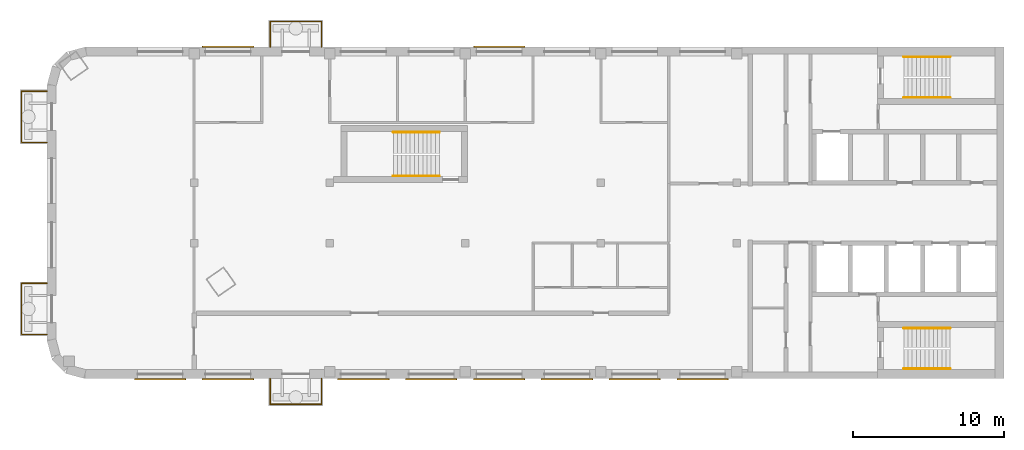
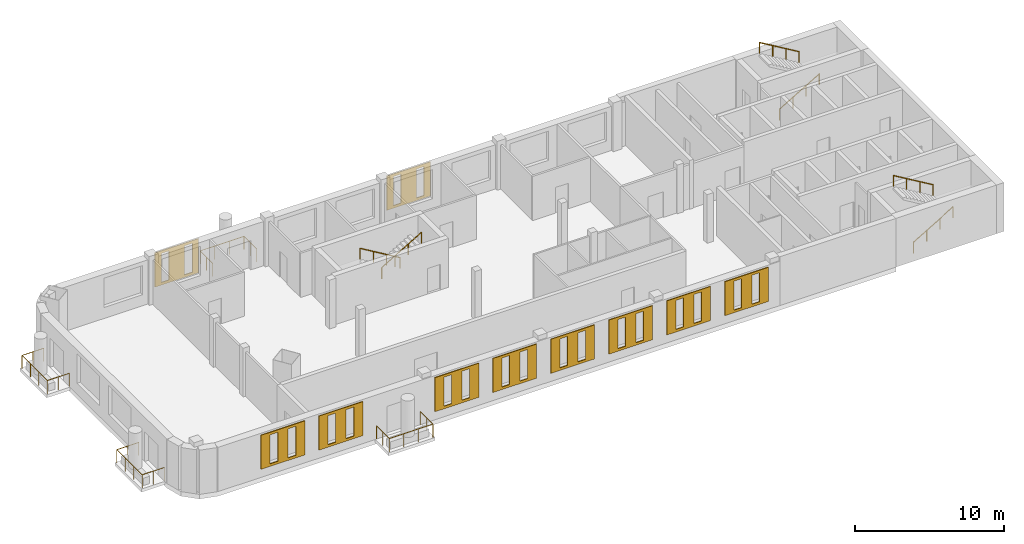
# One storey, part 5 of 7: 10 coverings, 10 railings.
"""IFC4 building model written with IfcOpenShell, lengths in metres."""

from ifc_helpers import new_model, si_unit, direction, frame, origin, origin_2d, place, context, subcontext, project, spatial, polyline, circle, outline, extrude, material, material_profile, profile_set, type_object, element, save


model = new_model("IFC4")

# Units and contexts
model_context = context("Model", 3, precision=1e-05, world=origin(), true_north=direction((0.0, 1.0)))
body_context = subcontext(model_context, "Body", "Model", "MODEL_VIEW")
ifc_project = project(units=[si_unit("LENGTHUNIT", "METRE"), si_unit("AREAUNIT", "SQUARE_METRE"), si_unit("VOLUMEUNIT", "CUBIC_METRE"), si_unit("PLANEANGLEUNIT", "RADIAN"), si_unit("MASSUNIT", "GRAM", prefix="KILO")], contexts=[model_context])

# Site, building, storey
site_placement = place(None, origin())
site = spatial("IfcSite", under=ifc_project, at=site_placement, CompositionType="ELEMENT")
building_placement = place(site_placement, origin())
building = spatial("IfcBuilding", under=site, at=building_placement, Name="Skarvind Civic Tower", CompositionType="ELEMENT")
storey_placement = place(building_placement, frame((0.0, 0.0, 241.5)))
storey = spatial("IfcBuildingStorey", under=building, at=storey_placement, Name="L57", CompositionType="ELEMENT", Elevation=241.5)

# Railings
ifc_material_1 = material(Name="Stainless steel balustrade", Category="steel")
railing_type_1 = type_object("IfcRailingType", Name="GR1 GUARD 1100", PredefinedType="GUARDRAIL", material=ifc_material_1)
railing_1_placement = place(storey_placement, frame((59.300048828125, 139.0, 0.0)))
element("IfcRailing", 1, at=railing_1_placement, inside=storey, type_object=railing_type_1, Name="TREE BALCONY GUARD", PredefinedType="GUARDRAIL", context=body_context, shape_type="SweptSolid", body=[
    extrude(circle(Radius=0.02392578125, at=origin_2d()), frame((0.0, 0.0, 1.076171875), z_axis=(0.0, 1.0, 0.0), x_axis=(-1.0, 0.0, 0.0)), (0.0, 0.0, 1.0), 1.699951171875),
    extrude(circle(Radius=0.02392578125, at=origin_2d()), frame((0.0, 1.699951171875, 1.076171875), z_axis=(1.0, 0.0, 0.0), x_axis=(0.0, 1.0, 0.0)), (0.0, 0.0, 1.0), 3.39990234375),
    extrude(circle(Radius=0.02392578125, at=origin_2d()), frame((3.39990234375, 1.699951171875, 1.076171875), z_axis=(0.0, -1.0, 0.0), x_axis=(1.0, 0.0, 0.0)), (0.0, 0.0, 1.0), 1.699951171875),
    extrude(circle(Radius=0.02099609375, at=origin_2d()), origin(), (0.0, 0.0, 1.0), 1.052001953125),
    extrude(circle(Radius=0.02099609375, at=origin_2d()), frame((0.0, 0.85009765625, 0.0)), (0.0, 0.0, 1.0), 1.052001953125),
    extrude(circle(Radius=0.02099609375, at=origin_2d()), frame((0.0, 1.699951171875, 0.0)), (0.0, 0.0, 1.0), 1.052001953125),
    extrude(circle(Radius=0.02099609375, at=origin_2d()), frame((1.13330078125, 1.699951171875, 0.0)), (0.0, 0.0, 1.0), 1.052001953125),
    extrude(circle(Radius=0.02099609375, at=origin_2d()), frame((2.2666015625, 1.699951171875, 0.0)), (0.0, 0.0, 1.0), 1.052001953125),
    extrude(circle(Radius=0.02099609375, at=origin_2d()), frame((3.39990234375, 1.699951171875, 0.0)), (0.0, 0.0, 1.0), 1.052001953125),
    extrude(circle(Radius=0.02099609375, at=origin_2d()), frame((3.39990234375, 0.85009765625, 0.0)), (0.0, 0.0, 1.0), 1.052001953125),
    extrude(circle(Radius=0.02099609375, at=origin_2d()), frame((3.39990234375, 0.0, 0.0)), (0.0, 0.0, 1.0), 1.052001953125),
])
for number, where, name in (
    (2, (44.5, 119.925048828125, 0.0), "TREE BALCONY GUARD"),
    (3, (44.5, 132.675048828125, 0.0), "TREE BALCONY GUARD"),
):
    element("IfcRailing", number, at=place(storey_placement, frame(where)), inside=storey, type_object=railing_type_1, Name=name, PredefinedType="GUARDRAIL", context=body_context, shape_type="SweptSolid", body=[
        extrude(circle(Radius=0.02392578125, at=origin_2d()), frame((0.0, 0.0, 1.076171875), z_axis=(-1.0, 0.0, 0.0), x_axis=(0.0, -1.0, 0.0)), (0.0, 0.0, 1.0), 1.699951171875),
        extrude(circle(Radius=0.02392578125, at=origin_2d()), frame((-1.699951171875, 0.0, 1.076171875), z_axis=(0.0, 1.0, 0.0), x_axis=(-1.0, 0.0, 0.0)), (0.0, 0.0, 1.0), 3.39990234375),
        extrude(circle(Radius=0.02392578125, at=origin_2d()), frame((-1.699951171875, 3.39990234375, 1.076171875), z_axis=(1.0, 0.0, 0.0), x_axis=(0.0, 1.0, 0.0)), (0.0, 0.0, 1.0), 1.699951171875),
        extrude(circle(Radius=0.02099609375, at=origin_2d()), origin(), (0.0, 0.0, 1.0), 1.052001953125),
        extrude(circle(Radius=0.02099609375, at=origin_2d()), frame((-0.85009765625, 0.0, 0.0)), (0.0, 0.0, 1.0), 1.052001953125),
        extrude(circle(Radius=0.02099609375, at=origin_2d()), frame((-1.699951171875, 0.0, 0.0)), (0.0, 0.0, 1.0), 1.052001953125),
        extrude(circle(Radius=0.02099609375, at=origin_2d()), frame((-1.699951171875, 1.13330078125, 0.0)), (0.0, 0.0, 1.0), 1.052001953125),
        extrude(circle(Radius=0.02099609375, at=origin_2d()), frame((-1.699951171875, 2.2666015625, 0.0)), (0.0, 0.0, 1.0), 1.052001953125),
        extrude(circle(Radius=0.02099609375, at=origin_2d()), frame((-1.699951171875, 3.39990234375, 0.0)), (0.0, 0.0, 1.0), 1.052001953125),
        extrude(circle(Radius=0.02099609375, at=origin_2d()), frame((-0.85009765625, 3.39990234375, 0.0)), (0.0, 0.0, 1.0), 1.052001953125),
        extrude(circle(Radius=0.02099609375, at=origin_2d()), frame((0.0, 3.39990234375, 0.0)), (0.0, 0.0, 1.0), 1.052001953125),
    ])
railing_2_placement = place(storey_placement, frame((62.699951171875, 117.0, 0.0)))
element("IfcRailing", 4, at=railing_2_placement, inside=storey, type_object=railing_type_1, Name="TREE BALCONY GUARD", PredefinedType="GUARDRAIL", context=body_context, shape_type="SweptSolid", body=[
    extrude(circle(Radius=0.02392578125, at=origin_2d()), frame((0.0, 0.0, 1.076171875), z_axis=(0.0, -1.0, 0.0), x_axis=(1.0, 0.0, 0.0)), (0.0, 0.0, 1.0), 1.699951171875),
    extrude(circle(Radius=0.02392578125, at=origin_2d()), frame((0.0, -1.699951171875, 1.076171875), z_axis=(-1.0, 0.0, 0.0), x_axis=(0.0, -1.0, 0.0)), (0.0, 0.0, 1.0), 3.39990234375),
    extrude(circle(Radius=0.02392578125, at=origin_2d()), frame((-3.39990234375, -1.699951171875, 1.076171875), z_axis=(0.0, 1.0, 0.0), x_axis=(-1.0, 0.0, 0.0)), (0.0, 0.0, 1.0), 1.699951171875),
    extrude(circle(Radius=0.02099609375, at=origin_2d()), origin(), (0.0, 0.0, 1.0), 1.052001953125),
    extrude(circle(Radius=0.02099609375, at=origin_2d()), frame((0.0, -0.85009765625, 0.0)), (0.0, 0.0, 1.0), 1.052001953125),
    extrude(circle(Radius=0.02099609375, at=origin_2d()), frame((0.0, -1.699951171875, 0.0)), (0.0, 0.0, 1.0), 1.052001953125),
    extrude(circle(Radius=0.02099609375, at=origin_2d()), frame((-1.13330078125, -1.699951171875, 0.0)), (0.0, 0.0, 1.0), 1.052001953125),
    extrude(circle(Radius=0.02099609375, at=origin_2d()), frame((-2.2666015625, -1.699951171875, 0.0)), (0.0, 0.0, 1.0), 1.052001953125),
    extrude(circle(Radius=0.02099609375, at=origin_2d()), frame((-3.39990234375, -1.699951171875, 0.0)), (0.0, 0.0, 1.0), 1.052001953125),
    extrude(circle(Radius=0.02099609375, at=origin_2d()), frame((-3.39990234375, -0.85009765625, 0.0)), (0.0, 0.0, 1.0), 1.052001953125),
    extrude(circle(Radius=0.02099609375, at=origin_2d()), frame((-3.39990234375, 0.0, 0.0)), (0.0, 0.0, 1.0), 1.052001953125),
])
ifc_material_2 = material(Name="Painted steel handrail", Category="steel")
railing_type_2 = type_object("IfcRailingType", Name="Stair handrail 900", PredefinedType="HANDRAIL", material=ifc_material_2)
railing_3_placement = place(storey_placement, frame((101.35009765625, 135.64990234375, 0.166748046875)))
element("IfcRailing", 5, at=railing_3_placement, inside=storey, type_object=railing_type_2, Name="Stair handrail", PredefinedType="HANDRAIL", context=body_context, shape_type="SweptSolid", body=[
    extrude(circle(Radius=0.02392578125, at=origin_2d()), frame((0.0, 0.0, 0.8759765625), z_axis=(0.859290745958, 0.0, 0.51148745235), x_axis=(0.0, 1.0, 0.0)), (0.0, 0.0, 1.0), 3.584228515625),
    extrude(circle(Radius=0.02099609375, at=origin_2d()), origin(), (0.0, 0.0, 1.0), 0.851806640625),
    extrude(circle(Radius=0.02099609375, at=origin_2d()), frame((1.026611328125, 0.0, 0.611083984375)), (0.0, 0.0, 1.0), 0.851806640625),
    extrude(circle(Radius=0.02099609375, at=origin_2d()), frame((2.05322265625, 0.0, 1.22216796875)), (0.0, 0.0, 1.0), 0.851806640625),
    extrude(circle(Radius=0.02099609375, at=origin_2d()), frame((3.079833984375, 0.0, 1.833251953125)), (0.0, 0.0, 1.0), 0.851806640625),
])
railing_4_placement = place(storey_placement, frame((104.429931640625, 138.35009765625, 2.166748046875)))
element("IfcRailing", 6, at=railing_4_placement, inside=storey, type_object=railing_type_2, Name="Stair handrail", PredefinedType="HANDRAIL", context=body_context, shape_type="SweptSolid", body=[
    extrude(circle(Radius=0.02392578125, at=origin_2d()), frame((0.0, 0.0, 0.8759765625), z_axis=(-0.859290745958, 0.0, 0.51148745235), x_axis=(0.0, -1.0, 0.0)), (0.0, 0.0, 1.0), 3.584228515625),
    extrude(circle(Radius=0.02099609375, at=origin_2d()), origin(), (0.0, 0.0, 1.0), 0.851806640625),
    extrude(circle(Radius=0.02099609375, at=origin_2d()), frame((-1.026611328125, 0.0, 0.611083984375)), (0.0, 0.0, 1.0), 0.851806640625),
    extrude(circle(Radius=0.02099609375, at=origin_2d()), frame((-2.05322265625, 0.0, 1.22216796875)), (0.0, 0.0, 1.0), 0.851806640625),
    extrude(circle(Radius=0.02099609375, at=origin_2d()), frame((-3.079833984375, 0.0, 1.833251953125)), (0.0, 0.0, 1.0), 0.851806640625),
])
railing_5_placement = place(storey_placement, frame((101.35009765625, 117.64990234375, 0.166748046875)))
element("IfcRailing", 7, at=railing_5_placement, inside=storey, type_object=railing_type_2, Name="Stair handrail", PredefinedType="HANDRAIL", context=body_context, shape_type="SweptSolid", body=[
    extrude(circle(Radius=0.02392578125, at=origin_2d()), frame((0.0, 0.0, 0.8759765625), z_axis=(0.859290745958, 0.0, 0.51148745235), x_axis=(0.0, 1.0, 0.0)), (0.0, 0.0, 1.0), 3.584228515625),
    extrude(circle(Radius=0.02099609375, at=origin_2d()), origin(), (0.0, 0.0, 1.0), 0.851806640625),
    extrude(circle(Radius=0.02099609375, at=origin_2d()), frame((1.026611328125, 0.0, 0.611083984375)), (0.0, 0.0, 1.0), 0.851806640625),
    extrude(circle(Radius=0.02099609375, at=origin_2d()), frame((2.05322265625, 0.0, 1.22216796875)), (0.0, 0.0, 1.0), 0.851806640625),
    extrude(circle(Radius=0.02099609375, at=origin_2d()), frame((3.079833984375, 0.0, 1.833251953125)), (0.0, 0.0, 1.0), 0.851806640625),
])
railing_6_placement = place(storey_placement, frame((104.429931640625, 120.35009765625, 2.166748046875)))
element("IfcRailing", 8, at=railing_6_placement, inside=storey, type_object=railing_type_2, Name="Stair handrail", PredefinedType="HANDRAIL", context=body_context, shape_type="SweptSolid", body=[
    extrude(circle(Radius=0.02392578125, at=origin_2d()), frame((0.0, 0.0, 0.8759765625), z_axis=(-0.859290745958, 0.0, 0.51148745235), x_axis=(0.0, -1.0, 0.0)), (0.0, 0.0, 1.0), 3.584228515625),
    extrude(circle(Radius=0.02099609375, at=origin_2d()), origin(), (0.0, 0.0, 1.0), 0.851806640625),
    extrude(circle(Radius=0.02099609375, at=origin_2d()), frame((-1.026611328125, 0.0, 0.611083984375)), (0.0, 0.0, 1.0), 0.851806640625),
    extrude(circle(Radius=0.02099609375, at=origin_2d()), frame((-2.05322265625, 0.0, 1.22216796875)), (0.0, 0.0, 1.0), 0.851806640625),
    extrude(circle(Radius=0.02099609375, at=origin_2d()), frame((-3.079833984375, 0.0, 1.833251953125)), (0.0, 0.0, 1.0), 0.851806640625),
])
railing_7_placement = place(storey_placement, frame((70.550048828125, 133.35009765625, 0.166748046875)))
element("IfcRailing", 9, at=railing_7_placement, inside=storey, type_object=railing_type_2, Name="Stair handrail", PredefinedType="HANDRAIL", context=body_context, shape_type="SweptSolid", body=[
    extrude(circle(Radius=0.02392578125, at=origin_2d()), frame((0.0, 0.0, 0.8759765625), z_axis=(-0.859308565015, 0.0, 0.511457515432), x_axis=(0.0, -1.0, 0.0)), (0.0, 0.0, 1.0), 3.58447265625),
    extrude(circle(Radius=0.02099609375, at=origin_2d()), origin(), (0.0, 0.0, 1.0), 0.851806640625),
    extrude(circle(Radius=0.02099609375, at=origin_2d()), frame((-1.026611328125, 0.0, 0.611083984375)), (0.0, 0.0, 1.0), 0.851806640625),
    extrude(circle(Radius=0.02099609375, at=origin_2d()), frame((-2.053466796875, 0.0, 1.22216796875)), (0.0, 0.0, 1.0), 0.851806640625),
    extrude(circle(Radius=0.02099609375, at=origin_2d()), frame((-3.080078125, 0.0, 1.833251953125)), (0.0, 0.0, 1.0), 0.851806640625),
])
railing_8_placement = place(storey_placement, frame((67.469970703125, 130.449951171875, 2.166748046875)))
element("IfcRailing", 10, at=railing_8_placement, inside=storey, type_object=railing_type_2, Name="Stair handrail", PredefinedType="HANDRAIL", context=body_context, shape_type="SweptSolid", body=[
    extrude(circle(Radius=0.02392578125, at=origin_2d()), frame((0.0, 0.0, 0.8759765625), z_axis=(0.859308565015, 0.0, 0.511457515432), x_axis=(0.0, 1.0, 0.0)), (0.0, 0.0, 1.0), 3.58447265625),
    extrude(circle(Radius=0.02099609375, at=origin_2d()), origin(), (0.0, 0.0, 1.0), 0.851806640625),
    extrude(circle(Radius=0.02099609375, at=origin_2d()), frame((1.026611328125, 0.0, 0.611083984375)), (0.0, 0.0, 1.0), 0.851806640625),
    extrude(circle(Radius=0.02099609375, at=origin_2d()), frame((2.053466796875, 0.0, 1.22216796875)), (0.0, 0.0, 1.0), 0.851806640625),
    extrude(circle(Radius=0.02099609375, at=origin_2d()), frame((3.080078125, 0.0, 1.833251953125)), (0.0, 0.0, 1.0), 0.851806640625),
])

# Coverings
ifc_material_3 = material(Name="Terracotta", Category="masonry")
ifc_material_profile_1 = material_profile(ifc_material_3, outline(polyline([(-1.699951171875, -1.39990234375), (1.699951171875, -1.39990234375), (1.699951171875, 1.39990234375), (-1.699951171875, 1.39990234375), (-1.699951171875, -1.39990234375)]), holes=[polyline([(-1.0, -1.18994140625), (-0.39990234375, -1.18994140625), (-0.39990234375, 1.18994140625), (-1.0, 1.18994140625), (-1.0, -1.18994140625)]), polyline([(0.39990234375, -1.18994140625), (1.0, -1.18994140625), (1.0, 1.18994140625), (0.39990234375, 1.18994140625), (0.39990234375, -1.18994140625)])]), Name="TERRACOTTA SCREEN 3400 x 2800, SLIT PITCH 1400")
ifc_profile_set_1 = profile_set([ifc_material_profile_1], Name="Terracotta")
covering_type_1 = type_object("IfcCoveringType", Name="TERRACOTTA SCREEN 3400 x 2800, SLIT PITCH 1400", PredefinedType="CLADDING", material=ifc_profile_set_1)
for number, where, z_axis, x_axis, name in (
    (11, (88.0, 117.0, 2.10009765625), (0.0, -1.0, 0.0), (1.0, 0.0, 0.0), "TERRACOTTA SCREEN"),
    (12, (83.5, 117.0, 2.10009765625), (0.0, -1.0, 0.0), (1.0, 0.0, 0.0), "TERRACOTTA SCREEN"),
    (13, (79.0, 117.0, 2.10009765625), (0.0, -1.0, 0.0), (1.0, 0.0, 0.0), "TERRACOTTA SCREEN"),
    (14, (74.5, 117.0, 2.10009765625), (0.0, -1.0, 0.0), (1.0, 0.0, 0.0), "TERRACOTTA SCREEN"),
    (15, (70.0, 117.0, 2.10009765625), (0.0, -1.0, 0.0), (1.0, 0.0, 0.0), "TERRACOTTA SCREEN"),
    (16, (65.5, 117.0, 2.10009765625), (0.0, -1.0, 0.0), (1.0, 0.0, 0.0), "TERRACOTTA SCREEN"),
    (17, (56.5, 117.0, 2.10009765625), (0.0, -1.0, 0.0), (1.0, 0.0, 0.0), "TERRACOTTA SCREEN"),
    (18, (52.0, 117.0, 2.10009765625), (0.0, -1.0, 0.0), (1.0, 0.0, 0.0), "TERRACOTTA SCREEN"),
):
    element("IfcCovering", number, at=place(storey_placement, frame(where, z_axis=z_axis, x_axis=x_axis)), inside=storey, type_object=covering_type_1, Name=name, PredefinedType="CLADDING", context=body_context, shape_type="SweptSolid", body=[
        extrude(outline(polyline([(-1.699951171875, -1.39990234375), (1.699951171875, -1.39990234375), (1.699951171875, 1.39990234375), (-1.699951171875, 1.39990234375), (-1.699951171875, -1.39990234375)]), holes=[polyline([(-1.0, -1.18994140625), (-0.39990234375, -1.18994140625), (-0.39990234375, 1.18994140625), (-1.0, 1.18994140625), (-1.0, -1.18994140625)]), polyline([(0.39990234375, -1.18994140625), (1.0, -1.18994140625), (1.0, 1.18994140625), (0.39990234375, 1.18994140625), (0.39990234375, -1.18994140625)])]), origin(), (0.0, 0.0, 1.0), 0.06005859375),
    ])
ifc_material_profile_2 = material_profile(ifc_material_3, outline(polyline([(-1.699951171875, -1.39990234375), (1.699951171875, -1.39990234375), (1.699951171875, 1.39990234375), (-1.699951171875, 1.39990234375), (-1.699951171875, -1.39990234375)]), holes=[polyline([(-1.199951171875, -1.18994140625), (-0.60009765625, -1.18994140625), (-0.60009765625, 1.18994140625), (-1.199951171875, 1.18994140625), (-1.199951171875, -1.18994140625)]), polyline([(0.60009765625, -1.18994140625), (1.199951171875, -1.18994140625), (1.199951171875, 1.18994140625), (0.60009765625, 1.18994140625), (0.60009765625, -1.18994140625)])]), Name="TERRACOTTA SCREEN 3400 x 2800, SLIT PITCH 1800")
ifc_profile_set_2 = profile_set([ifc_material_profile_2], Name="Terracotta")
covering_type_2 = type_object("IfcCoveringType", Name="TERRACOTTA SCREEN 3400 x 2800, SLIT PITCH 1800", PredefinedType="CLADDING", material=ifc_profile_set_2)
for number, where, z_axis, x_axis, name in (
    (19, (56.5, 139.0, 2.10009765625), (0.0, 1.0, 0.0), (-1.0, 0.0, 0.0), "TERRACOTTA SCREEN"),
    (20, (74.5, 139.0, 2.10009765625), (0.0, 1.0, 0.0), (-1.0, 0.0, 0.0), "TERRACOTTA SCREEN"),
):
    element("IfcCovering", number, at=place(storey_placement, frame(where, z_axis=z_axis, x_axis=x_axis)), inside=storey, type_object=covering_type_2, Name=name, PredefinedType="CLADDING", context=body_context, shape_type="SweptSolid", body=[
        extrude(outline(polyline([(-1.699951171875, -1.39990234375), (1.699951171875, -1.39990234375), (1.699951171875, 1.39990234375), (-1.699951171875, 1.39990234375), (-1.699951171875, -1.39990234375)]), holes=[polyline([(-1.199951171875, -1.18994140625), (-0.60009765625, -1.18994140625), (-0.60009765625, 1.18994140625), (-1.199951171875, 1.18994140625), (-1.199951171875, -1.18994140625)]), polyline([(0.60009765625, -1.18994140625), (1.199951171875, -1.18994140625), (1.199951171875, 1.18994140625), (0.60009765625, 1.18994140625), (0.60009765625, -1.18994140625)])]), origin(), (0.0, 0.0, 1.0), 0.06005859375),
    ])

save(model, "model.ifc")
